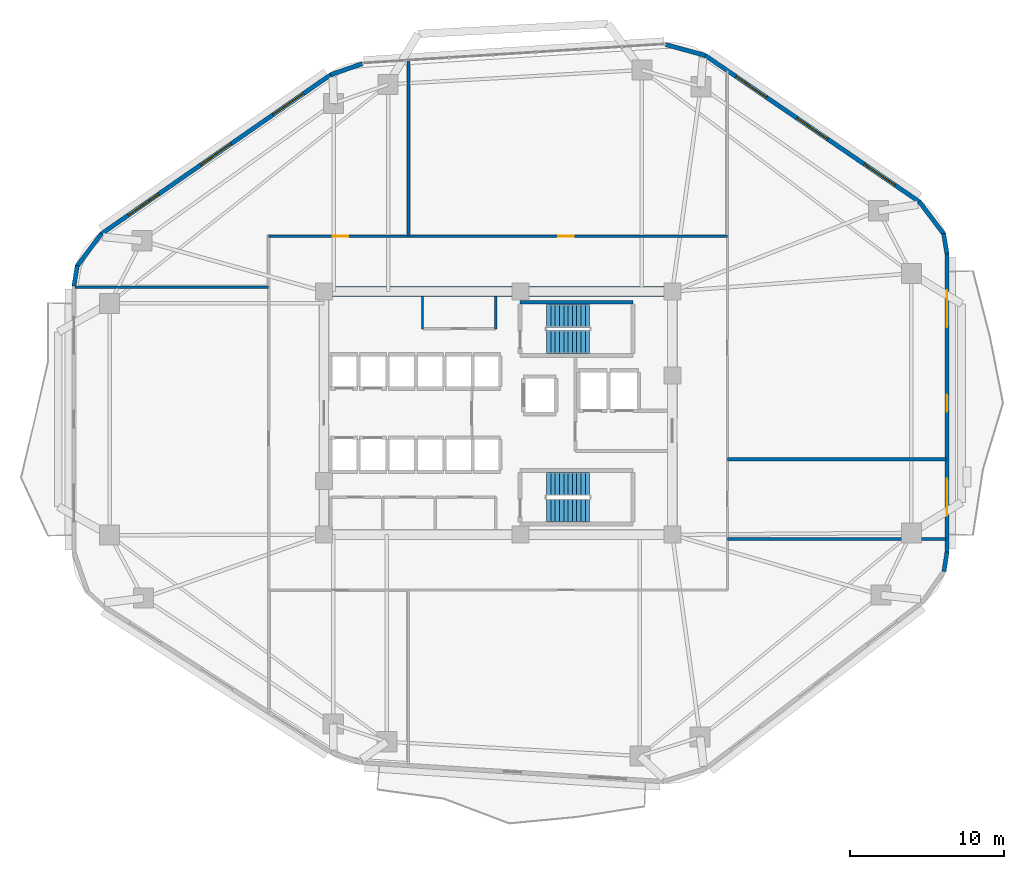
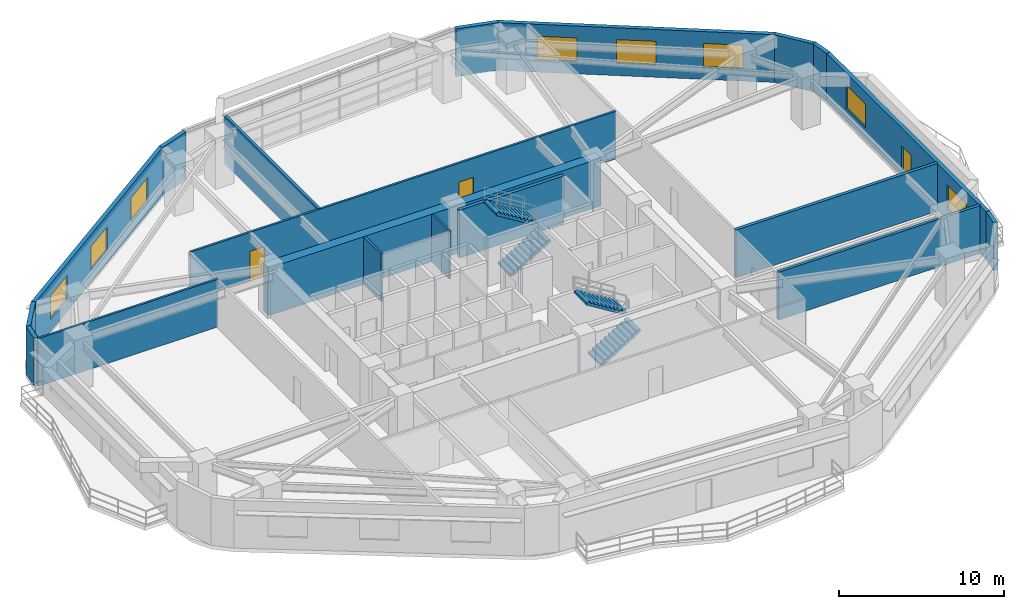
# One storey, part 8 of 11: 19 walls, 8 windows, 4 stair flights, 3 doors, 11 openings, 2 elements without a shape of their own.
"""IFC4 building model written with IfcOpenShell, lengths in metres."""

from ifc_helpers import new_model, si_unit, direction, frame, frame_2d, origin, place, context, subcontext, project, spatial, polyline, rectangle, outline, extrude, material, layer, layer_set, type_object, element, fill, aggregate, save


model = new_model("IFC4")

# Units and contexts
model_context = context("Model", 3, precision=1e-05, world=origin(), true_north=direction((0.0, 1.0)))
body_context = subcontext(model_context, "Body", "Model", "MODEL_VIEW")
ifc_project = project(units=[si_unit("LENGTHUNIT", "METRE"), si_unit("AREAUNIT", "SQUARE_METRE"), si_unit("VOLUMEUNIT", "CUBIC_METRE"), si_unit("PLANEANGLEUNIT", "RADIAN"), si_unit("MASSUNIT", "GRAM", prefix="KILO")], contexts=[model_context])

# Site, building, storey
site_placement = place(None, origin())
site = spatial("IfcSite", under=ifc_project, at=site_placement, CompositionType="ELEMENT")
building_placement = place(site_placement, origin())
building = spatial("IfcBuilding", under=site, at=building_placement, Name="Zulverin Broadcast Headquarters", CompositionType="ELEMENT")
storey_placement = place(building_placement, frame((0.0, 0.0, 32.60009765625)))
storey = spatial("IfcBuildingStorey", under=building, at=storey_placement, Name="L07", CompositionType="ELEMENT", Elevation=32.60009765625)

# Walls
ifc_material_1 = material(Name="Acoustic drywall steel stud", Category="steel")
ifc_layer_1 = layer(ifc_material_1, 0.199951171875, Name="Acoustic drywall steel stud", Category="steel")
ifc_layer_set_1 = layer_set([ifc_layer_1], Name="Acoustic drywall steel stud")
wall_type_1 = type_object("IfcWallType", Name="WL-ACOU-200", PredefinedType="PARTITIONING", material=ifc_layer_set_1)
wall_1_placement = place(storey_placement, frame((31.199951171875, 36.64990234375, 0.0), z_axis=(0.0, 0.0, 1.0), x_axis=(0.0, 1.0, 0.0)))
element("IfcWall", 1, at=wall_1_placement, inside=storey, type_object=wall_type_1, Name="L07 Room Partition Wall RP-03", PredefinedType="PARTITIONING", context=body_context, shape_type="SweptSolid", body=[
    extrude(rectangle(XDim=11.305908203125, YDim=0.199951171875, at=frame_2d((5.65283203125, 0.0))), origin(), (0.0, 0.0, 1.0), 3.52490234375),
])
wall_2_placement = place(storey_placement, frame((51.85009765625, 17.050048828125, 0.0), z_axis=(0.0, 0.0, 1.0), x_axis=(1.0, 0.0, 0.0)))
element("IfcWall", 2, at=wall_2_placement, inside=storey, type_object=wall_type_1, Name="L07 Room Partition Wall RP-06", PredefinedType="PARTITIONING", context=body_context, shape_type="SweptSolid", body=[
    extrude(rectangle(XDim=14.14501953125, YDim=0.199951171875, at=frame_2d((7.072509765625, 0.0))), origin(), (0.0, 0.0, 1.0), 3.52490234375),
])
ifc_material_2 = material(Name="Double-stud acoustic drywall", Category="gypsum")
ifc_layer_2 = layer(ifc_material_2, 0.219970703125, Name="Double-stud acoustic drywall", Category="gypsum")
ifc_layer_set_2 = layer_set([ifc_layer_2], Name="Double-stud acoustic drywall")
wall_type_2 = type_object("IfcWallType", Name="WL-ACOU-220", PredefinedType="PARTITIONING", material=ifc_layer_set_2)
wall_3_placement = place(storey_placement, frame((51.85009765625, 22.199951171875, 0.0), z_axis=(0.0, 0.0, 1.0), x_axis=(1.0, 0.0, 0.0)))
element("IfcWall", 3, at=wall_3_placement, inside=storey, type_object=wall_type_2, Name="L07 Room Partition Wall RP-07", PredefinedType="PARTITIONING", context=body_context, shape_type="SweptSolid", body=[
    extrude(rectangle(XDim=14.14501953125, YDim=0.219970703125, at=frame_2d((7.072509765625, 0.0))), origin(), (0.0, 0.0, 1.0), 3.52490234375),
])
ifc_material_3 = material(Name="Concrete C60/75", Category="concrete")
ifc_layer_3 = layer(ifc_material_3, 0.64990234375, Name="Concrete C60/75", Category="concrete")
ifc_layer_set_3 = layer_set([ifc_layer_3], Name="Concrete C60/75")
wall_type_3 = type_object("IfcWallType", Name="WL-CORE-650", PredefinedType="SHEAR", material=ifc_layer_set_3)
wall_4_placement = place(storey_placement, frame((25.39990234375, 33.074951171875, 0.0), z_axis=(0.0, 0.0, 1.0), x_axis=(1.0, 0.0, 0.0)))
element("IfcWall", 4, at=wall_4_placement, inside=storey, type_object=wall_type_3, Name="L07 Core North Shear Wall", PredefinedType="SHEAR", context=body_context, shape_type="SweptSolid", body=[
    extrude(rectangle(XDim=23.2001953125, YDim=0.64990234375, at=frame_2d((11.60009765625, 0.0))), origin(), (0.0, 0.0, 1.0), 3.52490234375),
])

# Wall, openings, door, windows
ifc_material_4 = material(Name="Insulated pale-metal clad concrete spandrel C40/50", Category="concrete")
ifc_layer_4 = layer(ifc_material_4, 0.280029296875, Name="Insulated pale-metal clad concrete spandrel C40/50", Category="concrete")
ifc_layer_set_4 = layer_set([ifc_layer_4], Name="Insulated pale-metal clad concrete spandrel C40/50")
wall_type_4 = type_object("IfcWallType", Name="WL-EXT-280", PredefinedType="STANDARD", material=ifc_layer_set_4)
wall_5_placement = place(storey_placement, frame((66.06005859375, 16.183349609375, 0.0), z_axis=(0.0, 0.0, 1.0), x_axis=(0.0, 1.0, 0.0)))
wall_5 = element("IfcWall", 5, at=wall_5_placement, inside=storey, type_object=wall_type_4, Name="L07 Pale-Metal Clad Spandrel Wall 3", PredefinedType="STANDARD", context=body_context, shape_type="SweptSolid", body=[
    extrude(rectangle(XDim=19.3310546875, YDim=0.280029296875, at=frame_2d((9.66552734375, 0.0))), origin(), (0.0, 0.0, 1.0), 3.52490234375),
])
opening_1_placement = place(wall_5_placement, frame((9.115478515625, 0.0, 0.0)))
opening_1 = element("IfcOpeningElement", 6, at=opening_1_placement, cuts=wall_5, Name="Opening D-L07-TR3", PredefinedType="OPENING", context=body_context, shape_type="SweptSolid", body=[
    extrude(rectangle(XDim=1.10009765625, YDim=2.199951171875, at=frame_2d((0.550048828125, 1.10009765625))), frame((0.0, 0.14990234375, 0.0), z_axis=(0.0, -1.0, 0.0), x_axis=(1.0, 0.0, 0.0)), (0.0, 0.0, 1.0), 0.300048828125),
])
opening_2_placement = place(wall_5_placement, frame((2.355224609375, 0.0, 0.89990234375)))
opening_2 = element("IfcOpeningElement", 7, at=opening_2_placement, cuts=wall_5, Name="Opening W-L07-E31", PredefinedType="OPENING", context=body_context, shape_type="SweptSolid", body=[
    extrude(rectangle(XDim=2.39990234375, YDim=1.75, at=frame_2d((1.199951171875, 0.875))), frame((0.0, 0.14990234375, 0.0), z_axis=(0.0, -1.0, 0.0), x_axis=(1.0, 0.0, 0.0)), (0.0, 0.0, 1.0), 0.300048828125),
])
opening_3_placement = place(wall_5_placement, frame((14.575927734375, 0.0, 0.89990234375)))
opening_3 = element("IfcOpeningElement", 8, at=opening_3_placement, cuts=wall_5, Name="Opening W-L07-E32", PredefinedType="OPENING", context=body_context, shape_type="SweptSolid", body=[
    extrude(rectangle(XDim=2.39990234375, YDim=1.75, at=frame_2d((1.199951171875, 0.875))), frame((0.0, 0.14990234375, 0.0), z_axis=(0.0, -1.0, 0.0), x_axis=(1.0, 0.0, 0.0)), (0.0, 0.0, 1.0), 0.300048828125),
])
ifc_material_5 = material(Name="Thermally broken aluminium glazed", Category="aluminium")
door_type_1 = type_object("IfcDoorType", Name="DR-TERR-1100", OperationType="SINGLE_SWING_RIGHT", PredefinedType="DOOR", material=ifc_material_5)
door_1_placement = place(opening_1_placement, origin())
door_1 = element("IfcDoor", 9, at=door_1_placement, inside=storey, type_object=door_type_1, Name="L07 Planted Terrace Glazed Access Door 3", OperationType="SINGLE_SWING_RIGHT", OverallHeight=2.199951171875, OverallWidth=1.10009765625, PredefinedType="DOOR", context=body_context, shape_type="SweptSolid", body=[
    extrude(rectangle(XDim=1.10009765625, YDim=2.199951171875, at=frame_2d((0.550048828125, 1.10009765625))), frame((0.0, 0.02490234375, 0.0), z_axis=(0.0, -1.0, 0.0), x_axis=(1.0, 0.0, 0.0)), (0.0, 0.0, 1.0), 0.050048828125),
])
fill(opening_1, door_1)
ifc_material_6 = material(Name="Pale anodized aluminium frame with solar-control low-E double glazing", Category="aluminium")
window_type = type_object("IfcWindowType", Name="WIN-RIB-2400", PartitioningType="SINGLE_PANEL", PredefinedType="WINDOW", material=ifc_material_6)
window_1_placement = place(opening_2_placement, origin())
window_1 = element("IfcWindow", 10, at=window_1_placement, inside=storey, type_object=window_type, Name="L07 Ribbon Glazing Window 3 1", OverallHeight=1.75, OverallWidth=2.39990234375, PartitioningType="SINGLE_PANEL", PredefinedType="WINDOW", context=body_context, shape_type="SweptSolid", body=[
    extrude(rectangle(XDim=2.39990234375, YDim=1.75, at=frame_2d((1.199951171875, 0.875))), frame((0.0, 0.030029296875, 0.0), z_axis=(0.0, -1.0, 0.0), x_axis=(1.0, 0.0, 0.0)), (0.0, 0.0, 1.0), 0.06005859375),
])
fill(opening_2, window_1)
window_2_placement = place(opening_3_placement, origin())
window_2 = element("IfcWindow", 11, at=window_2_placement, inside=storey, type_object=window_type, Name="L07 Ribbon Glazing Window 3 2", OverallHeight=1.75, OverallWidth=2.39990234375, PartitioningType="SINGLE_PANEL", PredefinedType="WINDOW", context=body_context, shape_type="SweptSolid", body=[
    extrude(rectangle(XDim=2.39990234375, YDim=1.75, at=frame_2d((1.199951171875, 0.875))), frame((0.0, 0.030029296875, 0.0), z_axis=(0.0, -1.0, 0.0), x_axis=(1.0, 0.0, 0.0)), (0.0, 0.0, 1.0), 0.06005859375),
])
fill(opening_3, window_2)

# Wall, openings, windows
wall_6_placement = place(storey_placement, frame((64.289794921875, 38.8671875, 0.0), z_axis=(0.0, 0.0, 1.0), x_axis=(-0.825755550159, 0.564028165416, 0.0)))
wall_6 = element("IfcWall", 12, at=wall_6_placement, inside=storey, type_object=wall_type_4, Name="L07 Pale-Metal Clad Spandrel Wall 4", PredefinedType="STANDARD", context=body_context, shape_type="SweptSolid", body=[
    extrude(rectangle(XDim=16.848388671875, YDim=0.280029296875, at=frame_2d((8.42431640625, 0.0))), origin(), (0.0, 0.0, 1.0), 3.52490234375),
])
opening_4_placement = place(wall_6_placement, frame((1.94140625, 0.0, 0.89990234375)))
opening_4 = element("IfcOpeningElement", 13, at=opening_4_placement, cuts=wall_6, Name="Opening W-L07-E41", PredefinedType="OPENING", context=body_context, shape_type="SweptSolid", body=[
    extrude(rectangle(XDim=2.39990234375, YDim=1.75, at=frame_2d((1.199951171875, 0.875))), frame((0.0, 0.14990234375, 0.0), z_axis=(0.0, -1.0, 0.0), x_axis=(1.0, 0.0, 0.0)), (0.0, 0.0, 1.0), 0.300048828125),
])
opening_5_placement = place(wall_6_placement, frame((7.22412109375, 0.0, 0.89990234375)))
opening_5 = element("IfcOpeningElement", 14, at=opening_5_placement, cuts=wall_6, Name="Opening W-L07-E42", PredefinedType="OPENING", context=body_context, shape_type="SweptSolid", body=[
    extrude(rectangle(XDim=2.39990234375, YDim=1.75, at=frame_2d((1.199951171875, 0.875))), frame((0.0, 0.14990234375, 0.0), z_axis=(0.0, -1.0, 0.0), x_axis=(1.0, 0.0, 0.0)), (0.0, 0.0, 1.0), 0.300048828125),
])
opening_6_placement = place(wall_6_placement, frame((12.0068359375, 0.0, 0.89990234375)))
opening_6 = element("IfcOpeningElement", 15, at=opening_6_placement, cuts=wall_6, Name="Opening W-L07-E43", PredefinedType="OPENING", context=body_context, shape_type="SweptSolid", body=[
    extrude(rectangle(XDim=2.39990234375, YDim=1.75, at=frame_2d((1.199951171875, 0.875))), frame((0.0, 0.14990234375, 0.0), z_axis=(0.0, -1.0, 0.0), x_axis=(1.0, 0.0, 0.0)), (0.0, 0.0, 1.0), 0.300048828125),
])
window_3_placement = place(opening_4_placement, origin())
window_3 = element("IfcWindow", 16, at=window_3_placement, inside=storey, type_object=window_type, Name="L07 Ribbon Glazing Window 4 1", OverallHeight=1.75, OverallWidth=2.39990234375, PartitioningType="SINGLE_PANEL", PredefinedType="WINDOW", context=body_context, shape_type="SweptSolid", body=[
    extrude(rectangle(XDim=2.39990234375, YDim=1.75, at=frame_2d((1.199951171875, 0.875))), frame((0.0, 0.030029296875, 0.0), z_axis=(0.0, -1.0, 0.0), x_axis=(1.0, 0.0, 0.0)), (0.0, 0.0, 1.0), 0.06005859375),
])
fill(opening_4, window_3)
window_4_placement = place(opening_5_placement, origin())
window_4 = element("IfcWindow", 17, at=window_4_placement, inside=storey, type_object=window_type, Name="L07 Ribbon Glazing Window 4 2", OverallHeight=1.75, OverallWidth=2.39990234375, PartitioningType="SINGLE_PANEL", PredefinedType="WINDOW", context=body_context, shape_type="SweptSolid", body=[
    extrude(rectangle(XDim=2.39990234375, YDim=1.75, at=frame_2d((1.199951171875, 0.875))), frame((0.0, 0.030029296875, 0.0), z_axis=(0.0, -1.0, 0.0), x_axis=(1.0, 0.0, 0.0)), (0.0, 0.0, 1.0), 0.06005859375),
])
fill(opening_5, window_4)
window_5_placement = place(opening_6_placement, origin())
window_5 = element("IfcWindow", 18, at=window_5_placement, inside=storey, type_object=window_type, Name="L07 Ribbon Glazing Window 4 3", OverallHeight=1.75, OverallWidth=2.39990234375, PartitioningType="SINGLE_PANEL", PredefinedType="WINDOW", context=body_context, shape_type="SweptSolid", body=[
    extrude(rectangle(XDim=2.39990234375, YDim=1.75, at=frame_2d((1.199951171875, 0.875))), frame((0.0, 0.030029296875, 0.0), z_axis=(0.0, -1.0, 0.0), x_axis=(1.0, 0.0, 0.0)), (0.0, 0.0, 1.0), 0.06005859375),
])
fill(opening_6, window_5)

wall_7_placement = place(storey_placement, frame((26.181884765625, 47.11767578125, 0.0), z_axis=(0.0, 0.0, 1.0), x_axis=(-0.821547956627, -0.570139417127, 0.0)))
wall_7 = element("IfcWall", 19, at=wall_7_placement, inside=storey, type_object=wall_type_4, Name="L07 Pale-Metal Clad Spandrel Wall 6", PredefinedType="STANDARD", context=body_context, shape_type="SweptSolid", body=[
    extrude(rectangle(XDim=18.13232421875, YDim=0.280029296875, at=frame_2d((9.066162109375, 0.0))), origin(), (0.0, 0.0, 1.0), 3.52490234375),
])
opening_7_placement = place(wall_7_placement, frame((2.155517578125, 0.0, 0.89990234375)))
opening_7 = element("IfcOpeningElement", 20, at=opening_7_placement, cuts=wall_7, Name="Opening W-L07-E61", PredefinedType="OPENING", context=body_context, shape_type="SweptSolid", body=[
    extrude(rectangle(XDim=2.39990234375, YDim=1.75, at=frame_2d((1.199951171875, 0.875))), frame((0.0, 0.14990234375, 0.0), z_axis=(0.0, -1.0, 0.0), x_axis=(1.0, 0.0, 0.0)), (0.0, 0.0, 1.0), 0.300048828125),
])
opening_8_placement = place(wall_7_placement, frame((7.8662109375, 0.0, 0.89990234375)))
opening_8 = element("IfcOpeningElement", 21, at=opening_8_placement, cuts=wall_7, Name="Opening W-L07-E62", PredefinedType="OPENING", context=body_context, shape_type="SweptSolid", body=[
    extrude(rectangle(XDim=2.39990234375, YDim=1.75, at=frame_2d((1.199951171875, 0.875))), frame((0.0, 0.14990234375, 0.0), z_axis=(0.0, -1.0, 0.0), x_axis=(1.0, 0.0, 0.0)), (0.0, 0.0, 1.0), 0.300048828125),
])
opening_9_placement = place(wall_7_placement, frame((13.576904296875, 0.0, 0.89990234375)))
opening_9 = element("IfcOpeningElement", 22, at=opening_9_placement, cuts=wall_7, Name="Opening W-L07-E63", PredefinedType="OPENING", context=body_context, shape_type="SweptSolid", body=[
    extrude(rectangle(XDim=2.39990234375, YDim=1.75, at=frame_2d((1.199951171875, 0.875))), frame((0.0, 0.14990234375, 0.0), z_axis=(0.0, -1.0, 0.0), x_axis=(1.0, 0.0, 0.0)), (0.0, 0.0, 1.0), 0.300048828125),
])
window_6_placement = place(opening_7_placement, origin())
window_6 = element("IfcWindow", 23, at=window_6_placement, inside=storey, type_object=window_type, Name="L07 Ribbon Glazing Window 6 1", OverallHeight=1.75, OverallWidth=2.39990234375, PartitioningType="SINGLE_PANEL", PredefinedType="WINDOW", context=body_context, shape_type="SweptSolid", body=[
    extrude(rectangle(XDim=2.39990234375, YDim=1.75, at=frame_2d((1.199951171875, 0.875))), frame((0.0, 0.030029296875, 0.0), z_axis=(0.0, -1.0, 0.0), x_axis=(1.0, 0.0, 0.0)), (0.0, 0.0, 1.0), 0.06005859375),
])
fill(opening_7, window_6)
window_7_placement = place(opening_8_placement, origin())
window_7 = element("IfcWindow", 24, at=window_7_placement, inside=storey, type_object=window_type, Name="L07 Ribbon Glazing Window 6 2", OverallHeight=1.75, OverallWidth=2.39990234375, PartitioningType="SINGLE_PANEL", PredefinedType="WINDOW", context=body_context, shape_type="SweptSolid", body=[
    extrude(rectangle(XDim=2.39990234375, YDim=1.75, at=frame_2d((1.199951171875, 0.875))), frame((0.0, 0.030029296875, 0.0), z_axis=(0.0, -1.0, 0.0), x_axis=(1.0, 0.0, 0.0)), (0.0, 0.0, 1.0), 0.06005859375),
])
fill(opening_8, window_7)
window_8_placement = place(opening_9_placement, origin())
window_8 = element("IfcWindow", 25, at=window_8_placement, inside=storey, type_object=window_type, Name="L07 Ribbon Glazing Window 6 3", OverallHeight=1.75, OverallWidth=2.39990234375, PartitioningType="SINGLE_PANEL", PredefinedType="WINDOW", context=body_context, shape_type="SweptSolid", body=[
    extrude(rectangle(XDim=2.39990234375, YDim=1.75, at=frame_2d((1.199951171875, 0.875))), frame((0.0, 0.030029296875, 0.0), z_axis=(0.0, -1.0, 0.0), x_axis=(1.0, 0.0, 0.0)), (0.0, 0.0, 1.0), 0.06005859375),
])
fill(opening_9, window_8)

# Walls
wall_8_placement = place(storey_placement, frame((65.867431640625, 14.942626953125, 0.0), z_axis=(0.0, 0.0, 1.0), x_axis=(0.152014078361, 0.988378328364, 0.0)))
element("IfcWall", 26, at=wall_8_placement, inside=storey, type_object=wall_type_4, Name="L07 Wind-Shaped Corner Spandrel Wall 2-2", PredefinedType="STANDARD", context=body_context, shape_type="SweptSolid", body=[
    extrude(rectangle(XDim=1.27685546875, YDim=0.280029296875, at=frame_2d((0.638427734375, 0.0))), origin(), (0.0, 0.0, 1.0), 3.52490234375),
])
wall_9_placement = place(storey_placement, frame((66.061767578125, 35.491943359375, 0.0), z_axis=(0.0, 0.0, 1.0), x_axis=(-0.161182073582, 0.986924687682, 0.0)))
element("IfcWall", 27, at=wall_9_placement, inside=storey, type_object=wall_type_4, Name="L07 Wind-Shaped Corner Spandrel Wall 3-1", PredefinedType="STANDARD", context=body_context, shape_type="SweptSolid", body=[
    extrude(rectangle(XDim=1.354248046875, YDim=0.280029296875, at=frame_2d((0.67724609375, 0.0))), origin(), (0.0, 0.0, 1.0), 3.52490234375),
])
wall_10_placement = place(storey_placement, frame((65.8701171875, 36.7666015625, 0.0), z_axis=(0.0, 0.0, 1.0), x_axis=(-0.603370463754, 0.797461023166, 0.0)))
element("IfcWall", 28, at=wall_10_placement, inside=storey, type_object=wall_type_4, Name="L07 Wind-Shaped Corner Spandrel Wall 3-2", PredefinedType="STANDARD", context=body_context, shape_type="SweptSolid", body=[
    extrude(rectangle(XDim=2.6728515625, YDim=0.280029296875, at=frame_2d((1.33642578125, 0.0))), origin(), (0.0, 0.0, 1.0), 3.52490234375),
])
wall_11_placement = place(storey_placement, frame((50.419189453125, 48.3505859375, 0.0), z_axis=(0.0, 0.0, 1.0), x_axis=(-0.964263320055, 0.264945748402, 0.0)))
element("IfcWall", 29, at=wall_11_placement, inside=storey, type_object=wall_type_4, Name="L07 Wind-Shaped Corner Spandrel Wall 4-1", PredefinedType="STANDARD", context=body_context, shape_type="SweptSolid", body=[
    extrude(rectangle(XDim=2.665771484375, YDim=0.280029296875, at=frame_2d((1.3330078125, 0.0))), origin(), (0.0, 0.0, 1.0), 3.52490234375),
])
wall_12_placement = place(storey_placement, frame((28.217041015625, 47.820068359375, 0.0), z_axis=(0.0, 0.0, 1.0), x_axis=(-0.944478751803, -0.328572499447, 0.0)))
element("IfcWall", 30, at=wall_12_placement, inside=storey, type_object=wall_type_4, Name="L07 Wind-Shaped Corner Spandrel Wall 5-1", PredefinedType="STANDARD", context=body_context, shape_type="SweptSolid", body=[
    extrude(rectangle(XDim=2.1904296875, YDim=0.280029296875, at=frame_2d((1.09521484375, 0.0))), origin(), (0.0, 0.0, 1.0), 3.52490234375),
])
wall_13_placement = place(storey_placement, frame((11.317626953125, 36.81103515625, 0.0), z_axis=(0.0, 0.0, 1.0), x_axis=(-0.599455152629, -0.800408345775, 0.0)))
element("IfcWall", 31, at=wall_13_placement, inside=storey, type_object=wall_type_4, Name="L07 Wind-Shaped Corner Spandrel Wall 6-1", PredefinedType="STANDARD", context=body_context, shape_type="SweptSolid", body=[
    extrude(rectangle(XDim=2.6533203125, YDim=0.280029296875, at=frame_2d((1.32666015625, 0.0))), origin(), (0.0, 0.0, 1.0), 3.52490234375),
])
wall_14_placement = place(storey_placement, frame((9.753173828125, 34.748779296875, 0.0), z_axis=(0.0, 0.0, 1.0), x_axis=(-0.160037671962, -0.987110907423, 0.0)))
element("IfcWall", 32, at=wall_14_placement, inside=storey, type_object=wall_type_4, Name="L07 Wind-Shaped Corner Spandrel Wall 6-2", PredefinedType="STANDARD", context=body_context, shape_type="SweptSolid", body=[
    extrude(rectangle(XDim=1.343994140625, YDim=0.280029296875, at=frame_2d((0.671875, 0.0))), origin(), (0.0, 0.0, 1.0), 3.52490234375),
])
ifc_material_7 = material(Name="Fire-rated gypsum stud partition", Category="gypsum")
ifc_layer_5 = layer(ifc_material_7, 0.14990234375, Name="Fire-rated gypsum stud partition", Category="gypsum")
ifc_layer_set_5 = layer_set([ifc_layer_5], Name="Fire-rated gypsum stud partition")
wall_type_5 = type_object("IfcWallType", Name="WL-PART-150", PredefinedType="PARTITIONING", material=ifc_layer_set_5)
for number, where, z_axis, x_axis, name in (
    (33, (32.10009765625, 30.64990234375, 0.0), (0.0, 0.0, 1.0), (0.0, 1.0, 0.0), "L07 Core Accessible WC & Electrical Riser West Wall"),
    (34, (36.85009765625, 30.64990234375, 0.0), (0.0, 0.0, 1.0), (0.0, 1.0, 0.0), "L07 Core Accessible WC & Electrical Riser East Wall"),
):
    element("IfcWall", number, at=place(storey_placement, frame(where, z_axis=z_axis, x_axis=x_axis)), inside=storey, type_object=wall_type_5, Name=name, PredefinedType="PARTITIONING", context=body_context, shape_type="SweptSolid", body=[
        extrude(rectangle(XDim=2.10009765625, YDim=0.14990234375, at=frame_2d((1.050048828125, 0.0))), origin(), (0.0, 0.0, 1.0), 3.52490234375),
    ])
wall_15_placement = place(storey_placement, frame((9.60498046875, 33.35009765625, 0.0), z_axis=(0.0, 0.0, 1.0), x_axis=(1.0, 0.0, 0.0)))
element("IfcWall", 35, at=wall_15_placement, inside=storey, type_object=wall_type_5, Name="L07 Room Partition Wall RP-08", PredefinedType="PARTITIONING", context=body_context, shape_type="SweptSolid", body=[
    extrude(rectangle(XDim=12.544921875, YDim=0.14990234375, at=frame_2d((6.2724609375, 0.0))), origin(), (0.0, 0.0, 1.0), 3.52490234375),
])

# Wall, openings, doors
wall_16_placement = place(storey_placement, frame((22.14990234375, 36.64990234375, 0.0), z_axis=(0.0, 0.0, 1.0), x_axis=(1.0, 0.0, 0.0)))
wall_16 = element("IfcWall", 36, at=wall_16_placement, inside=storey, type_object=wall_type_5, Name="L07 Gallery Partition Wall CG-09", PredefinedType="PARTITIONING", context=body_context, shape_type="SweptSolid", body=[
    extrude(rectangle(XDim=29.7001953125, YDim=0.14990234375, at=frame_2d((14.85009765625, 0.0))), origin(), (0.0, 0.0, 1.0), 3.52490234375),
])
opening_10_placement = place(wall_16_placement, frame((4.14501953125, 0.0, 0.0)))
opening_10 = element("IfcOpeningElement", 37, at=opening_10_placement, cuts=wall_16, Name="Opening D-L07-01", PredefinedType="OPENING", context=body_context, shape_type="SweptSolid", body=[
    extrude(rectangle(XDim=1.0, YDim=2.1201171875, at=frame_2d((0.5, 1.06005859375))), frame((0.0, 0.0849609375, 0.0), z_axis=(0.0, -1.0, 0.0), x_axis=(1.0, 0.0, 0.0)), (0.0, 0.0, 1.0), 0.169921875),
])
opening_11_placement = place(wall_16_placement, frame((18.7548828125, 0.0, 0.0)))
opening_11 = element("IfcOpeningElement", 38, at=opening_11_placement, cuts=wall_16, Name="Opening D-L07-02", PredefinedType="OPENING", context=body_context, shape_type="SweptSolid", body=[
    extrude(rectangle(XDim=1.0, YDim=2.1201171875, at=frame_2d((0.5, 1.06005859375))), frame((0.0, 0.0849609375, 0.0), z_axis=(0.0, -1.0, 0.0), x_axis=(1.0, 0.0, 0.0)), (0.0, 0.0, 1.0), 0.169921875),
])
ifc_material_8 = material(Name="Hardwood veneer acoustic leaf", Category="wood")
door_type_2 = type_object("IfcDoorType", Name="DR-OFF-1000", OperationType="SINGLE_SWING_LEFT", PredefinedType="DOOR", material=ifc_material_8)
door_2_placement = place(opening_10_placement, origin())
door_2 = element("IfcDoor", 39, at=door_2_placement, inside=storey, type_object=door_type_2, Name="L07 Live Newsroom Workplace Door", OperationType="SINGLE_SWING_RIGHT", OverallHeight=2.1201171875, OverallWidth=1.0, PredefinedType="DOOR", context=body_context, shape_type="SweptSolid", body=[
    extrude(rectangle(XDim=1.0, YDim=2.1201171875, at=frame_2d((0.5, 1.06005859375))), frame((0.0, 0.02490234375, 0.0), z_axis=(0.0, -1.0, 0.0), x_axis=(1.0, 0.0, 0.0)), (0.0, 0.0, 1.0), 0.050048828125),
])
fill(opening_10, door_2)
door_3_placement = place(opening_11_placement, origin())
door_3 = element("IfcDoor", 40, at=door_3_placement, inside=storey, type_object=door_type_2, Name="L07 Transmission Control Office Door", OperationType="SINGLE_SWING_LEFT", OverallHeight=2.1201171875, OverallWidth=1.0, PredefinedType="DOOR", context=body_context, shape_type="SweptSolid", body=[
    extrude(rectangle(XDim=1.0, YDim=2.1201171875, at=frame_2d((0.5, 1.06005859375))), frame((0.0, 0.02490234375, 0.0), z_axis=(0.0, -1.0, 0.0), x_axis=(1.0, 0.0, 0.0)), (0.0, 0.0, 1.0), 0.050048828125),
])
fill(opening_11, door_3)

# Wall
ifc_material_9 = material(Name="Concrete C50/60", Category="concrete")
ifc_layer_6 = layer(ifc_material_9, 0.25, Name="Concrete C50/60", Category="concrete")
ifc_layer_set_6 = layer_set([ifc_layer_6], Name="Concrete C50/60")
wall_type_6 = type_object("IfcWallType", Name="WL-SHAFT-250", PredefinedType="SHEAR", material=ifc_layer_set_6)
wall_17_placement = place(storey_placement, frame((38.425048828125, 32.375, 0.0), z_axis=(0.0, 0.0, 1.0), x_axis=(1.0, 0.0, 0.0)))
element("IfcWall", 41, at=wall_17_placement, inside=storey, type_object=wall_type_6, Name="L07 ST-1 Enclosure Wall N", PredefinedType="SHEAR", context=body_context, shape_type="SweptSolid", body=[
    extrude(rectangle(XDim=7.300048828125, YDim=0.25, at=frame_2d((3.64990234375, 0.0))), origin(), (0.0, 0.0, 1.0), 3.52490234375),
])

# Stair, stair flights
ifc_material_10 = material(Name="Concrete C40/50", Category="concrete")
stair_type = type_object("IfcStairType", Name="ST-CORE-1500", PredefinedType="HALF_TURN_STAIR", material=ifc_material_10)
stair_1_placement = place(storey_placement, origin())
stair_1 = element("IfcStair", 42, at=stair_1_placement, inside=storey, type_object=stair_type, Name="L07 Core Exit Stair ST-1", PredefinedType="HALF_TURN_STAIR")
stair_flight_type = type_object("IfcStairFlightType", Name="SF-CORE-1500", PredefinedType="STRAIGHT", material=ifc_material_10)
stair_flight_1_placement = place(storey_placement, frame((40.1298828125, 29.800048828125, 0.0), z_axis=(0.0, 0.0, 1.0), x_axis=(1.0, 0.0, 0.0)))
stair_flight_1 = element("IfcStairFlight", 43, at=stair_flight_1_placement, type_object=stair_flight_type, Name="ST-1 flight 1", NumberOfRisers=11, NumberOfTreads=10, PredefinedType="STRAIGHT", RiserHeight=0.172727273, TreadLength=0.28, context=body_context, shape_type="SweptSolid", body=[
    extrude(outline(polyline([(0.0, 0.0), (0.0, 0.172607421875), (0.280029296875, 0.172607421875), (0.280029296875, 0.345458984375), (0.56005859375, 0.345458984375), (0.56005859375, 0.51806640625), (0.840087890625, 0.51806640625), (0.840087890625, 0.69091796875), (1.1201171875, 0.69091796875), (1.1201171875, 0.863525390625), (1.39990234375, 0.863525390625), (1.39990234375, 1.036376953125), (1.679931640625, 1.036376953125), (1.679931640625, 1.208984375), (1.9599609375, 1.208984375), (1.9599609375, 1.3818359375), (2.239990234375, 1.3818359375), (2.239990234375, 1.554443359375), (2.52001953125, 1.554443359375), (2.52001953125, 1.727294921875), (2.800048828125, 1.727294921875), (2.800048828125, 1.89990234375), (2.800048828125, 1.551025390625), (0.285400390625, 0.0), (0.0, 0.0)])), frame((0.0, 0.75, 0.0), z_axis=(0.0, -1.0, 0.0), x_axis=(1.0, 0.0, 0.0)), (0.0, 0.0, 1.0), 1.5),
])
stair_flight_2_placement = place(storey_placement, frame((42.929931640625, 31.5, 1.89990234375), z_axis=(0.0, 0.0, 1.0), x_axis=(-1.0, 0.0, 0.0)))
stair_flight_2 = element("IfcStairFlight", 44, at=stair_flight_2_placement, type_object=stair_flight_type, Name="ST-1 flight 2", NumberOfRisers=11, NumberOfTreads=10, PredefinedType="STRAIGHT", RiserHeight=0.172727273, TreadLength=0.28, context=body_context, shape_type="SweptSolid", body=[
    extrude(outline(polyline([(0.0, 0.0), (0.0, 0.172607421875), (0.280029296875, 0.172607421875), (0.280029296875, 0.345458984375), (0.56005859375, 0.345458984375), (0.56005859375, 0.51806640625), (0.840087890625, 0.51806640625), (0.840087890625, 0.69091796875), (1.1201171875, 0.69091796875), (1.1201171875, 0.863525390625), (1.39990234375, 0.863525390625), (1.39990234375, 1.036376953125), (1.679931640625, 1.036376953125), (1.679931640625, 1.208984375), (1.9599609375, 1.208984375), (1.9599609375, 1.3818359375), (2.239990234375, 1.3818359375), (2.239990234375, 1.554443359375), (2.52001953125, 1.554443359375), (2.52001953125, 1.727294921875), (2.800048828125, 1.727294921875), (2.800048828125, 1.89990234375), (2.800048828125, 1.551025390625), (0.285400390625, 0.0), (0.0, 0.0)])), frame((0.0, 0.75, 0.0), z_axis=(0.0, -1.0, 0.0), x_axis=(1.0, 0.0, 0.0)), (0.0, 0.0, 1.0), 1.5),
])
aggregate(stair_1, [stair_flight_1, stair_flight_2])

stair_2_placement = place(storey_placement, origin())
stair_2 = element("IfcStair", 45, at=stair_2_placement, inside=storey, type_object=stair_type, Name="L07 Core Exit Stair ST-2", PredefinedType="HALF_TURN_STAIR")
stair_flight_3_placement = place(storey_placement, frame((40.1298828125, 18.89990234375, 0.0), z_axis=(0.0, 0.0, 1.0), x_axis=(1.0, 0.0, 0.0)))
stair_flight_3 = element("IfcStairFlight", 46, at=stair_flight_3_placement, type_object=stair_flight_type, Name="ST-2 flight 1", NumberOfRisers=11, NumberOfTreads=10, PredefinedType="STRAIGHT", RiserHeight=0.172727273, TreadLength=0.28, context=body_context, shape_type="SweptSolid", body=[
    extrude(outline(polyline([(0.0, 0.0), (0.0, 0.172607421875), (0.280029296875, 0.172607421875), (0.280029296875, 0.345458984375), (0.56005859375, 0.345458984375), (0.56005859375, 0.51806640625), (0.840087890625, 0.51806640625), (0.840087890625, 0.69091796875), (1.1201171875, 0.69091796875), (1.1201171875, 0.863525390625), (1.39990234375, 0.863525390625), (1.39990234375, 1.036376953125), (1.679931640625, 1.036376953125), (1.679931640625, 1.208984375), (1.9599609375, 1.208984375), (1.9599609375, 1.3818359375), (2.239990234375, 1.3818359375), (2.239990234375, 1.554443359375), (2.52001953125, 1.554443359375), (2.52001953125, 1.727294921875), (2.800048828125, 1.727294921875), (2.800048828125, 1.89990234375), (2.800048828125, 1.551025390625), (0.285400390625, 0.0), (0.0, 0.0)])), frame((0.0, 0.75, 0.0), z_axis=(0.0, -1.0, 0.0), x_axis=(1.0, 0.0, 0.0)), (0.0, 0.0, 1.0), 1.5),
])
stair_flight_4_placement = place(storey_placement, frame((42.929931640625, 20.60009765625, 1.89990234375), z_axis=(0.0, 0.0, 1.0), x_axis=(-1.0, 0.0, 0.0)))
stair_flight_4 = element("IfcStairFlight", 47, at=stair_flight_4_placement, type_object=stair_flight_type, Name="ST-2 flight 2", NumberOfRisers=11, NumberOfTreads=10, PredefinedType="STRAIGHT", RiserHeight=0.172727273, TreadLength=0.28, context=body_context, shape_type="SweptSolid", body=[
    extrude(outline(polyline([(0.0, 0.0), (0.0, 0.172607421875), (0.280029296875, 0.172607421875), (0.280029296875, 0.345458984375), (0.56005859375, 0.345458984375), (0.56005859375, 0.51806640625), (0.840087890625, 0.51806640625), (0.840087890625, 0.69091796875), (1.1201171875, 0.69091796875), (1.1201171875, 0.863525390625), (1.39990234375, 0.863525390625), (1.39990234375, 1.036376953125), (1.679931640625, 1.036376953125), (1.679931640625, 1.208984375), (1.9599609375, 1.208984375), (1.9599609375, 1.3818359375), (2.239990234375, 1.3818359375), (2.239990234375, 1.554443359375), (2.52001953125, 1.554443359375), (2.52001953125, 1.727294921875), (2.800048828125, 1.727294921875), (2.800048828125, 1.89990234375), (2.800048828125, 1.551025390625), (0.285400390625, 0.0), (0.0, 0.0)])), frame((0.0, 0.75, 0.0), z_axis=(0.0, -1.0, 0.0), x_axis=(1.0, 0.0, 0.0)), (0.0, 0.0, 1.0), 1.5),
])
aggregate(stair_2, [stair_flight_3, stair_flight_4])

save(model, "model.ifc")
